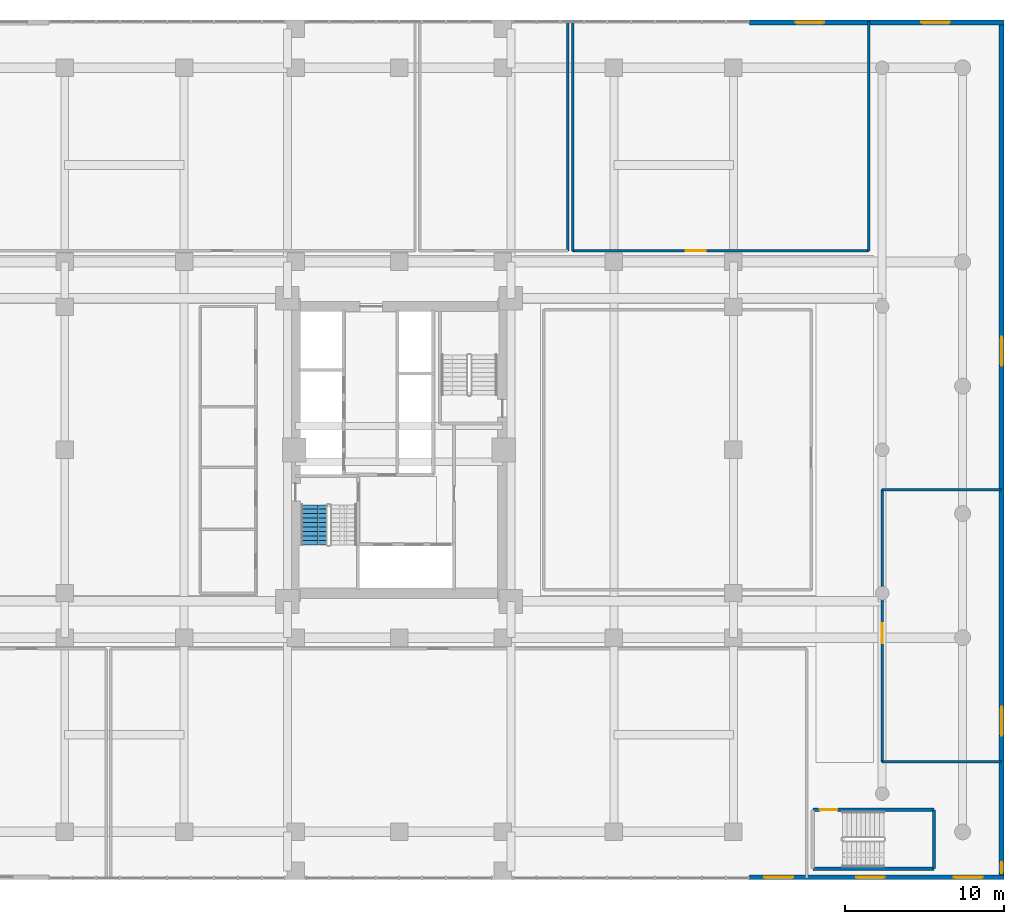
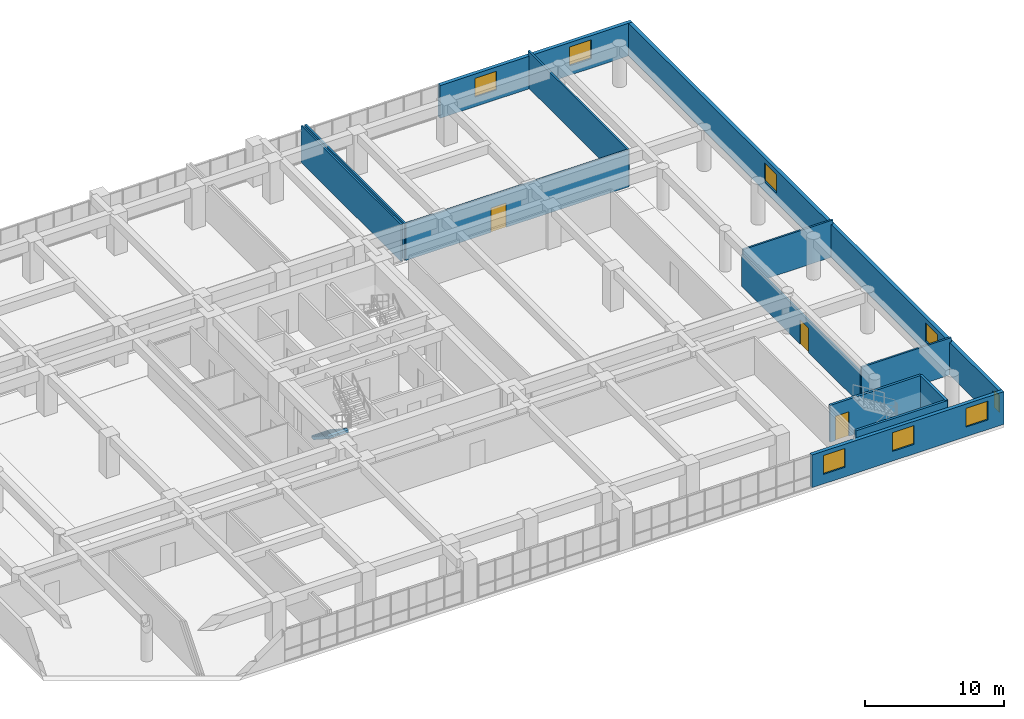
# One storey, part 21 of 30: 13 walls, 8 windows, 3 doors, 1 stair flight, 11 openings, 1 element without a shape of its own.
"""IFC4 building model written with IfcOpenShell, lengths in metres."""

from ifc_helpers import new_model, si_unit, direction, frame, frame_2d, origin, place, context, subcontext, project, spatial, polyline, rectangle, outline, extrude, source, transform, mapped, material, layer, layer_set, type_object, element, fill, aggregate, save


model = new_model("IFC4")

# Units and contexts
model_context = context("Model", 3, precision=1e-05, world=origin(), true_north=direction((0.0, 1.0)))
body_context = subcontext(model_context, "Body", "Model", "MODEL_VIEW")
ifc_project = project(units=[si_unit("LENGTHUNIT", "METRE"), si_unit("AREAUNIT", "SQUARE_METRE"), si_unit("VOLUMEUNIT", "CUBIC_METRE"), si_unit("PLANEANGLEUNIT", "RADIAN"), si_unit("MASSUNIT", "GRAM", prefix="KILO")], contexts=[model_context])

# Site, building, storey
site_placement = place(None, origin())
site = spatial("IfcSite", under=ifc_project, at=site_placement, CompositionType="ELEMENT")
building_placement = place(site_placement, origin())
building = spatial("IfcBuilding", under=site, at=building_placement, Name="Saelheon Loggia Tower", CompositionType="ELEMENT")
storey_placement = place(building_placement, frame((0.0, 0.0, 11.39990234375)))
storey = spatial("IfcBuildingStorey", under=building, at=storey_placement, Name="L03", CompositionType="ELEMENT", Elevation=11.39990234375)

# Wall, openings, windows
ifc_material_1 = material(Name="Architectural Precast Concrete C40/50", Category="concrete")
ifc_layer_1 = layer(ifc_material_1, 0.300048828125)
ifc_layer_set_1 = layer_set([ifc_layer_1], Name="Architectural Precast Concrete C40/50")
wall_type_1 = type_object("IfcWallType", Name="Wall_Ext_Podium_300", PredefinedType="SOLIDWALL", material=ifc_layer_set_1)
wall_1_placement = place(storey_placement, frame((60.0, 0.14990234375, 0.0), z_axis=(0.0, 0.0, 1.0), x_axis=(1.0, 0.0, 0.0)))
wall_1 = element("IfcWall", 1, at=wall_1_placement, inside=storey, type_object=wall_type_1, Name="L03 South-East Precast Wall", PredefinedType="SOLIDWALL", context=body_context, shape_type="SweptSolid", body=[
    extrude(rectangle(XDim=16.0, YDim=0.300048828125, at=frame_2d((8.0, 0.0))), origin(), (0.0, 0.0, 1.0), 2.880126953125),
])
opening_1_placement = place(wall_1_placement, frame((0.955078125, 0.0, 0.85009765625)))
opening_1 = element("IfcOpeningElement", 2, at=opening_1_placement, cuts=wall_1, Name="Opening WN-01", PredefinedType="OPENING", context=body_context, shape_type="SweptSolid", body=[
    extrude(rectangle(XDim=1.800048828125, YDim=1.64990234375, at=frame_2d((0.89990234375, 0.824951171875))), frame((0.0, 0.162109375, 0.0), z_axis=(0.0, -1.0, 0.0), x_axis=(1.0, 0.0, 0.0)), (0.0, 0.0, 1.0), 0.323974609375),
])
opening_2_placement = place(wall_1_placement, frame((6.705078125, 0.0, 0.85009765625)))
opening_2 = element("IfcOpeningElement", 3, at=opening_2_placement, cuts=wall_1, Name="Opening WN-01", PredefinedType="OPENING", context=body_context, shape_type="SweptSolid", body=[
    extrude(rectangle(XDim=1.800048828125, YDim=1.64990234375, at=frame_2d((0.89990234375, 0.824951171875))), frame((0.0, 0.162109375, 0.0), z_axis=(0.0, -1.0, 0.0), x_axis=(1.0, 0.0, 0.0)), (0.0, 0.0, 1.0), 0.323974609375),
])
opening_3_placement = place(wall_1_placement, frame((12.85009765625, 0.0, 0.85009765625)))
opening_3 = element("IfcOpeningElement", 4, at=opening_3_placement, cuts=wall_1, Name="Opening WN-01", PredefinedType="OPENING", context=body_context, shape_type="SweptSolid", body=[
    extrude(rectangle(XDim=1.800048828125, YDim=1.64990234375, at=frame_2d((0.89990234375, 0.824951171875))), frame((0.0, 0.162109375, 0.0), z_axis=(0.0, -1.0, 0.0), x_axis=(1.0, 0.0, 0.0)), (0.0, 0.0, 1.0), 0.323974609375),
])
ifc_material_2 = material(Name="Thermal-Break Aluminium and Triple Low-E Glass", Category="aluminium")
window_type_1 = type_object("IfcWindowType", Name="Win_Dwelling_1800x1650", PartitioningType="SINGLE_PANEL", PredefinedType="WINDOW", material=ifc_material_2)
shared_shape_1 = source(origin(), body_context, "Body", "SweptSolid", [
    extrude(rectangle(XDim=1.800048828125, YDim=1.64990234375, at=frame_2d((0.89990234375, 0.824951171875))), frame((0.0, 0.030029296875, 0.0), z_axis=(0.0, -1.0, 0.0), x_axis=(1.0, 0.0, 0.0)), (0.0, 0.0, 1.0), 0.06005859375),
])
window_1_placement = place(opening_1_placement, origin())
window_1 = element("IfcWindow", 5, at=window_1_placement, inside=storey, type_object=window_type_1, Name="L03 SE Dwelling Window 1", OverallHeight=1.64990234375, OverallWidth=1.800048828125, PartitioningType="SINGLE_PANEL", PredefinedType="WINDOW", context=body_context, shape_type="MappedRepresentation", body=[
    mapped(shared_shape_1, transform((0.0, 0.0, 0.0), scale=1.0)),
])
fill(opening_1, window_1)
window_2_placement = place(opening_2_placement, origin())
window_2 = element("IfcWindow", 6, at=window_2_placement, inside=storey, type_object=window_type_1, Name="L03 SE Dwelling Window 2", OverallHeight=1.64990234375, OverallWidth=1.800048828125, PartitioningType="SINGLE_PANEL", PredefinedType="WINDOW", context=body_context, shape_type="MappedRepresentation", body=[
    mapped(shared_shape_1, transform((0.0, 0.0, 0.0), scale=1.0)),
])
fill(opening_2, window_2)
window_3_placement = place(opening_3_placement, origin())
window_3 = element("IfcWindow", 7, at=window_3_placement, inside=storey, type_object=window_type_1, Name="L03 SE Dwelling Window 3", OverallHeight=1.64990234375, OverallWidth=1.800048828125, PartitioningType="SINGLE_PANEL", PredefinedType="WINDOW", context=body_context, shape_type="MappedRepresentation", body=[
    mapped(shared_shape_1, transform((0.0, 0.0, 0.0), scale=1.0)),
])
fill(opening_3, window_3)

wall_2_placement = place(storey_placement, frame((60.0, 53.85009765625, 0.0), z_axis=(0.0, 0.0, 1.0), x_axis=(1.0, 0.0, 0.0)))
wall_2 = element("IfcWall", 8, at=wall_2_placement, inside=storey, type_object=wall_type_1, Name="L03 North-East Precast Wall", PredefinedType="SOLIDWALL", context=body_context, shape_type="SweptSolid", body=[
    extrude(rectangle(XDim=16.0, YDim=0.300048828125, at=frame_2d((8.0, 0.0))), origin(), (0.0, 0.0, 1.0), 2.880126953125),
])
opening_4_placement = place(wall_2_placement, frame((2.905029296875, 0.0, 0.85009765625)))
opening_4 = element("IfcOpeningElement", 9, at=opening_4_placement, cuts=wall_2, Name="Opening WN-01", PredefinedType="OPENING", context=body_context, shape_type="SweptSolid", body=[
    extrude(rectangle(XDim=1.800048828125, YDim=1.64990234375, at=frame_2d((0.89990234375, 0.824951171875))), frame((0.0, 0.162109375, 0.0), z_axis=(0.0, -1.0, 0.0), x_axis=(1.0, 0.0, 0.0)), (0.0, 0.0, 1.0), 0.323974609375),
])
opening_5_placement = place(wall_2_placement, frame((10.794921875, 0.0, 0.85009765625)))
opening_5 = element("IfcOpeningElement", 10, at=opening_5_placement, cuts=wall_2, Name="Opening WN-01", PredefinedType="OPENING", context=body_context, shape_type="SweptSolid", body=[
    extrude(rectangle(XDim=1.800048828125, YDim=1.64990234375, at=frame_2d((0.89990234375, 0.824951171875))), frame((0.0, 0.162109375, 0.0), z_axis=(0.0, -1.0, 0.0), x_axis=(1.0, 0.0, 0.0)), (0.0, 0.0, 1.0), 0.323974609375),
])
window_4_placement = place(opening_4_placement, origin())
window_4 = element("IfcWindow", 11, at=window_4_placement, inside=storey, type_object=window_type_1, Name="L03 NE Dwelling Window 1", OverallHeight=1.64990234375, OverallWidth=1.800048828125, PartitioningType="SINGLE_PANEL", PredefinedType="WINDOW", context=body_context, shape_type="MappedRepresentation", body=[
    mapped(shared_shape_1, transform((0.0, 0.0, 0.0), scale=1.0)),
])
fill(opening_4, window_4)
window_5_placement = place(opening_5_placement, origin())
window_5 = element("IfcWindow", 12, at=window_5_placement, inside=storey, type_object=window_type_1, Name="L03 NE Dwelling Window 2", OverallHeight=1.64990234375, OverallWidth=1.800048828125, PartitioningType="SINGLE_PANEL", PredefinedType="WINDOW", context=body_context, shape_type="MappedRepresentation", body=[
    mapped(shared_shape_1, transform((0.0, 0.0, 0.0), scale=1.0)),
])
fill(opening_5, window_5)

wall_3_placement = place(storey_placement, frame((75.85009765625, 0.0, 0.0), z_axis=(0.0, 0.0, 1.0), x_axis=(0.0, 1.0, 0.0)))
wall_3 = element("IfcWall", 13, at=wall_3_placement, inside=storey, type_object=wall_type_1, Name="L03 East Precast Wall", PredefinedType="SOLIDWALL", context=body_context, shape_type="SweptSolid", body=[
    extrude(rectangle(XDim=54.0, YDim=0.300048828125, at=frame_2d((27.0, 0.0))), origin(), (0.0, 0.0, 1.0), 2.880126953125),
])
opening_6_placement = place(wall_3_placement, frame((0.405029296875, 0.0, 0.85009765625)))
opening_6 = element("IfcOpeningElement", 14, at=opening_6_placement, cuts=wall_3, Name="Opening WN-06", PredefinedType="OPENING", context=body_context, shape_type="SweptSolid", body=[
    extrude(rectangle(XDim=0.699951171875, YDim=1.5, at=frame_2d((0.35009765625, 0.75))), frame((0.0, 0.162109375, 0.0), z_axis=(0.0, -1.0, 0.0), x_axis=(1.0, 0.0, 0.0)), (0.0, 0.0, 1.0), 0.323974609375),
])
opening_7_placement = place(wall_3_placement, frame((9.050048828125, 0.0, 0.85009765625)))
opening_7 = element("IfcOpeningElement", 15, at=opening_7_placement, cuts=wall_3, Name="Opening WN-01", PredefinedType="OPENING", context=body_context, shape_type="SweptSolid", body=[
    extrude(rectangle(XDim=1.800048828125, YDim=1.64990234375, at=frame_2d((0.89990234375, 0.824951171875))), frame((0.0, 0.162109375, 0.0), z_axis=(0.0, -1.0, 0.0), x_axis=(1.0, 0.0, 0.0)), (0.0, 0.0, 1.0), 0.323974609375),
])
opening_8_placement = place(wall_3_placement, frame((32.294921875, 0.0, 0.85009765625)))
opening_8 = element("IfcOpeningElement", 16, at=opening_8_placement, cuts=wall_3, Name="Opening WN-01", PredefinedType="OPENING", context=body_context, shape_type="SweptSolid", body=[
    extrude(rectangle(XDim=1.800048828125, YDim=1.64990234375, at=frame_2d((0.89990234375, 0.824951171875))), frame((0.0, 0.162109375, 0.0), z_axis=(0.0, -1.0, 0.0), x_axis=(1.0, 0.0, 0.0)), (0.0, 0.0, 1.0), 0.323974609375),
])
window_6_placement = place(opening_7_placement, origin())
window_6 = element("IfcWindow", 17, at=window_6_placement, inside=storey, type_object=window_type_1, Name="L03 E Dwelling Window 2", OverallHeight=1.64990234375, OverallWidth=1.800048828125, PartitioningType="SINGLE_PANEL", PredefinedType="WINDOW", context=body_context, shape_type="MappedRepresentation", body=[
    mapped(shared_shape_1, transform((0.0, 0.0, 0.0), scale=1.0)),
])
fill(opening_7, window_6)
window_7_placement = place(opening_8_placement, origin())
window_7 = element("IfcWindow", 18, at=window_7_placement, inside=storey, type_object=window_type_1, Name="L03 E Dwelling Window 3", OverallHeight=1.64990234375, OverallWidth=1.800048828125, PartitioningType="SINGLE_PANEL", PredefinedType="WINDOW", context=body_context, shape_type="MappedRepresentation", body=[
    mapped(shared_shape_1, transform((0.0, 0.0, 0.0), scale=1.0)),
])
fill(opening_8, window_7)
window_type_2 = type_object("IfcWindowType", Name="Win_Slot_700x1500", PartitioningType="SINGLE_PANEL", PredefinedType="WINDOW", material=ifc_material_2)
shared_shape_2 = source(origin(), body_context, "Body", "SweptSolid", [
    extrude(rectangle(XDim=0.699951171875, YDim=1.5, at=frame_2d((0.35009765625, 0.75))), frame((0.0, 0.030029296875, 0.0), z_axis=(0.0, -1.0, 0.0), x_axis=(1.0, 0.0, 0.0)), (0.0, 0.0, 1.0), 0.06005859375),
])
window_8_placement = place(opening_6_placement, origin())
window_8 = element("IfcWindow", 19, at=window_8_placement, inside=storey, type_object=window_type_2, Name="L03 E Dwelling Window 1", OverallHeight=1.5, OverallWidth=0.699951171875, PartitioningType="SINGLE_PANEL", PredefinedType="WINDOW", context=body_context, shape_type="MappedRepresentation", body=[
    mapped(shared_shape_2, transform((0.0, 0.0, 0.0), scale=1.0)),
])
fill(opening_6, window_8)

# Wall
ifc_material_3 = material(Name="Lightweight Autoclaved Aerated Concrete Block and Acoustic Gypsum", Category="concrete")
ifc_layer_2 = layer(ifc_material_3, 0.14990234375)
ifc_layer_set_2 = layer_set([ifc_layer_2], Name="Lightweight Autoclaved Aerated Concrete Block and Acoustic Gypsum")
wall_type_2 = type_object("IfcWallType", Name="Wall_Part_150", PredefinedType="PARTITIONING", material=ifc_layer_set_2)
wall_4_placement = place(storey_placement, frame((48.60009765625, 39.5, 0.0), z_axis=(0.0, 0.0, 1.0), x_axis=(0.0, 1.0, 0.0)))
element("IfcWall", 20, at=wall_4_placement, inside=storey, type_object=wall_type_2, Name="PW-L03-COUNS1-E", PredefinedType="PARTITIONING", context=body_context, shape_type="SweptSolid", body=[
    extrude(rectangle(XDim=14.39990234375, YDim=0.14990234375, at=frame_2d((7.199951171875, 0.0))), origin(), (0.0, 0.0, 1.0), 3.25),
])

# Wall, opening, door
wall_5_placement = place(storey_placement, frame((48.89990234375, 39.5, 0.0), z_axis=(0.0, 0.0, 1.0), x_axis=(1.0, 0.0, 0.0)))
wall_5 = element("IfcWall", 21, at=wall_5_placement, inside=storey, type_object=wall_type_2, Name="PW-L03-COUNS2-S", PredefinedType="PARTITIONING", context=body_context, shape_type="SweptSolid", body=[
    extrude(rectangle(XDim=18.60009765625, YDim=0.14990234375, at=frame_2d((9.300048828125, 0.0))), origin(), (0.0, 0.0, 1.0), 3.25),
])
opening_9_placement = place(wall_5_placement, frame((7.114013671875, 0.0, 0.0)))
opening_9 = element("IfcOpeningElement", 22, at=opening_9_placement, cuts=wall_5, Name="Opening D-CL1", PredefinedType="OPENING", context=body_context, shape_type="SweptSolid", body=[
    extrude(rectangle(XDim=1.25, YDim=2.14990234375, at=frame_2d((0.625, 1.074951171875))), frame((0.0, 0.0869140625, 0.0), z_axis=(0.0, -1.0, 0.0), x_axis=(1.0, 0.0, 0.0)), (0.0, 0.0, 1.0), 0.173828125),
])
ifc_material_4 = material(Name="Antimicrobial Hospital Laminate Door", Category="timber")
door_type_1 = type_object("IfcDoorType", Name="Door_Clinic_1250", OperationType="NOTDEFINED", PredefinedType="DOOR", material=ifc_material_4)
shared_shape_3 = source(origin(), body_context, "Body", "SweptSolid", [
    extrude(rectangle(XDim=1.25, YDim=2.14990234375, at=frame_2d((0.625, 1.074951171875))), frame((0.0, 0.02490234375, 0.0), z_axis=(0.0, -1.0, 0.0), x_axis=(1.0, 0.0, 0.0)), (0.0, 0.0, 1.0), 0.050048828125),
])
door_1_placement = place(opening_9_placement, origin())
door_1 = element("IfcDoor", 23, at=door_1_placement, inside=storey, type_object=door_type_1, Name="L03 Maternal Education Seminar Hall Door", OperationType="SINGLE_SWING_LEFT", OverallHeight=2.14990234375, OverallWidth=1.25, PredefinedType="DOOR", context=body_context, shape_type="MappedRepresentation", body=[
    mapped(shared_shape_3, transform((0.0, 0.0, 0.0), scale=1.0)),
])
fill(opening_9, door_1)

# Walls
for number, where, z_axis, x_axis, name in (
    (24, (48.89990234375, 39.5, 0.0), (0.0, 0.0, 1.0), (0.0, 1.0, 0.0), "PW-L03-COUNS2-W"),
    (25, (67.5, 39.5, 0.0), (0.0, 0.0, 1.0), (0.0, 1.0, 0.0), "PW-L03-COUNS2-E"),
):
    element("IfcWall", number, at=place(storey_placement, frame(where, z_axis=z_axis, x_axis=x_axis)), inside=storey, type_object=wall_type_2, Name=name, PredefinedType="PARTITIONING", context=body_context, shape_type="SweptSolid", body=[
        extrude(rectangle(XDim=14.39990234375, YDim=0.14990234375, at=frame_2d((7.199951171875, 0.0))), origin(), (0.0, 0.0, 1.0), 3.25),
    ])
for number, where, z_axis, x_axis, name in (
    (26, (68.35009765625, 7.39990234375, 0.0), (0.0, 0.0, 1.0), (1.0, 0.0, 0.0), "PW-L03-ORTHO-S"),
    (27, (68.35009765625, 24.5, 0.0), (0.0, 0.0, 1.0), (1.0, 0.0, 0.0), "PW-L03-ORTHO-N"),
):
    element("IfcWall", number, at=place(storey_placement, frame(where, z_axis=z_axis, x_axis=x_axis)), inside=storey, type_object=wall_type_2, Name=name, PredefinedType="PARTITIONING", context=body_context, shape_type="SweptSolid", body=[
        extrude(rectangle(XDim=7.5, YDim=0.14990234375, at=frame_2d((3.75, 0.0))), origin(), (0.0, 0.0, 1.0), 3.25),
    ])

# Wall, opening, door
wall_6_placement = place(storey_placement, frame((68.35009765625, 7.39990234375, 0.0), z_axis=(0.0, 0.0, 1.0), x_axis=(0.0, 1.0, 0.0)))
wall_6 = element("IfcWall", 28, at=wall_6_placement, inside=storey, type_object=wall_type_2, Name="PW-L03-ORTHO-W", PredefinedType="PARTITIONING", context=body_context, shape_type="SweptSolid", body=[
    extrude(rectangle(XDim=17.10009765625, YDim=0.14990234375, at=frame_2d((8.550048828125, 0.0))), origin(), (0.0, 0.0, 1.0), 2.840087890625),
])
opening_10_placement = place(wall_6_placement, frame((7.45166015625, 0.0, 0.0)))
opening_10 = element("IfcOpeningElement", 29, at=opening_10_placement, cuts=wall_6, Name="Opening D-CL1", PredefinedType="OPENING", context=body_context, shape_type="SweptSolid", body=[
    extrude(rectangle(XDim=1.25, YDim=2.14990234375, at=frame_2d((0.625, 1.074951171875))), frame((0.0, 0.0869140625, 0.0), z_axis=(0.0, -1.0, 0.0), x_axis=(1.0, 0.0, 0.0)), (0.0, 0.0, 1.0), 0.173828125),
])
door_2_placement = place(opening_10_placement, origin())
door_2 = element("IfcDoor", 30, at=door_2_placement, inside=storey, type_object=door_type_1, Name="L03 Orthopaedic Splinting Clinic Door", OperationType="SINGLE_SWING_RIGHT", OverallHeight=2.14990234375, OverallWidth=1.25, PredefinedType="DOOR", context=body_context, shape_type="MappedRepresentation", body=[
    mapped(shared_shape_3, transform((0.0, 0.0, 0.0), scale=1.0)),
])
fill(opening_10, door_2)

# Wall
ifc_material_5 = material(Name="Concrete C45/55", Category="concrete")
ifc_layer_3 = layer(ifc_material_5, 0.199951171875)
ifc_layer_set_3 = layer_set([ifc_layer_3], Name="Concrete C45/55")
wall_type_3 = type_object("IfcWallType", Name="Wall_StairShaft_RC200", PredefinedType="SOLIDWALL", material=ifc_layer_set_3)
wall_7_placement = place(storey_placement, frame((63.989990234375, 0.68994140625, 0.0), z_axis=(0.0, 0.0, 1.0), x_axis=(1.0, 0.0, 0.0)))
element("IfcWall", 31, at=wall_7_placement, inside=storey, type_object=wall_type_3, Name="L03 ST4 Shaft South Wall", PredefinedType="SOLIDWALL", context=body_context, shape_type="SweptSolid", body=[
    extrude(rectangle(XDim=7.6201171875, YDim=0.199951171875, at=frame_2d((3.81005859375, 0.0))), origin(), (0.0, 0.0, 1.0), 3.25),
])

# Wall, opening, door
wall_8_placement = place(storey_placement, frame((63.989990234375, 4.389892578125, 0.0), z_axis=(0.0, 0.0, 1.0), x_axis=(1.0, 0.0, 0.0)))
wall_8 = element("IfcWall", 32, at=wall_8_placement, inside=storey, type_object=wall_type_3, Name="L03 ST4 Shaft North Wall", PredefinedType="SOLIDWALL", context=body_context, shape_type="SweptSolid", body=[
    extrude(rectangle(XDim=7.6201171875, YDim=0.199951171875, at=frame_2d((3.81005859375, 0.0))), origin(), (0.0, 0.0, 1.0), 3.25),
])
opening_11_placement = place(wall_8_placement, frame((0.449951171875, 0.0, 0.0)))
opening_11 = element("IfcOpeningElement", 33, at=opening_11_placement, cuts=wall_8, Name="Opening D-FD2", PredefinedType="OPENING", context=body_context, shape_type="SweptSolid", body=[
    extrude(rectangle(XDim=1.10009765625, YDim=2.14990234375, at=frame_2d((0.550048828125, 1.074951171875))), frame((0.0, 0.112060546875, 0.0), z_axis=(0.0, -1.0, 0.0), x_axis=(1.0, 0.0, 0.0)), (0.0, 0.0, 1.0), 0.223876953125),
])
ifc_material_6 = material(Name="Galvanised Steel Fire Door", Category="steel")
door_type_2 = type_object("IfcDoorType", Name="Door_Fire_FD60_1100", OperationType="NOTDEFINED", PredefinedType="DOOR", material=ifc_material_6)
shared_shape_4 = source(origin(), body_context, "Body", "SweptSolid", [
    extrude(rectangle(XDim=1.10009765625, YDim=2.14990234375, at=frame_2d((0.550048828125, 1.074951171875))), frame((0.0, 0.02490234375, 0.0), z_axis=(0.0, -1.0, 0.0), x_axis=(1.0, 0.0, 0.0)), (0.0, 0.0, 1.0), 0.050048828125),
])
door_3_placement = place(opening_11_placement, origin())
door_3 = element("IfcDoor", 34, at=door_3_placement, inside=storey, type_object=door_type_2, Name="L03 Escape Stair ST4 Door", OperationType="SINGLE_SWING_LEFT", OverallHeight=2.14990234375, OverallWidth=1.10009765625, PredefinedType="DOOR", context=body_context, shape_type="MappedRepresentation", body=[
    mapped(shared_shape_4, transform((0.0, 0.0, 0.0), scale=1.0)),
])
fill(opening_11, door_3)

# Wall
wall_9_placement = place(storey_placement, frame((71.610107421875, 0.68994140625, 0.0), z_axis=(0.0, 0.0, 1.0), x_axis=(0.0, 1.0, 0.0)))
element("IfcWall", 35, at=wall_9_placement, inside=storey, type_object=wall_type_3, Name="L03 ST4 Shaft East Wall", PredefinedType="SOLIDWALL", context=body_context, shape_type="SweptSolid", body=[
    extrude(rectangle(XDim=3.699951171875, YDim=0.199951171875, at=frame_2d((1.85009765625, 0.0))), origin(), (0.0, 0.0, 1.0), 3.25),
])

# Stair, stair flight
ifc_material_7 = material(Name="Concrete C40/50", Category="concrete")
stair_type = type_object("IfcStairType", Name="Stair_Escape_Core", PredefinedType="HALF_TURN_STAIR", material=ifc_material_7)
stair_placement = place(storey_placement, origin())
stair = element("IfcStair", 36, at=stair_placement, inside=storey, type_object=stair_type, Name="L03 Special Escape Stair ST1", PredefinedType="HALF_TURN_STAIR")
stair_flight_type = type_object("IfcStairFlightType", Name="StairFlight_Tower_1660", PredefinedType="STRAIGHT", material=ifc_material_7)
stair_flight_placement = place(storey_placement, frame((32.679931640625, 23.550048828125, 0.0), z_axis=(0.0, 0.0, 1.0), x_axis=(0.0, -1.0, 0.0)))
stair_flight = element("IfcStairFlight", 37, at=stair_flight_placement, type_object=stair_flight_type, Name="ST1 flight 1", NumberOfRisers=10, NumberOfTreads=9, PredefinedType="STRAIGHT", RiserHeight=0.18, TreadLength=0.28, context=body_context, shape_type="SweptSolid", body=[
    extrude(outline(polyline([(0.0, 0.0), (0.0, 0.179931640625), (0.280029296875, 0.179931640625), (0.280029296875, 0.360107421875), (0.56005859375, 0.360107421875), (0.56005859375, 0.5400390625), (0.840087890625, 0.5400390625), (0.840087890625, 0.719970703125), (1.1201171875, 0.719970703125), (1.1201171875, 0.89990234375), (1.39990234375, 0.89990234375), (1.39990234375, 1.080078125), (1.679931640625, 1.080078125), (1.679931640625, 1.260009765625), (1.9599609375, 1.260009765625), (1.9599609375, 1.43994140625), (2.239990234375, 1.43994140625), (2.239990234375, 1.6201171875), (2.52001953125, 1.6201171875), (2.52001953125, 1.800048828125), (2.52001953125, 1.406005859375), (0.332763671875, 0.0), (0.0, 0.0)])), frame((0.0, -0.2490234375, 0.0), z_axis=(0.0, -1.0, 0.0), x_axis=(1.0, 0.0, 0.0)), (0.0, 0.0, 1.0), 0.5810546875),
    extrude(outline(polyline([(0.0, 0.0), (0.0, 0.179931640625), (0.280029296875, 0.179931640625), (0.280029296875, 0.360107421875), (0.56005859375, 0.360107421875), (0.56005859375, 0.5400390625), (0.840087890625, 0.5400390625), (0.840087890625, 0.719970703125), (1.1201171875, 0.719970703125), (1.1201171875, 0.89990234375), (1.39990234375, 0.89990234375), (1.39990234375, 1.080078125), (1.679931640625, 1.080078125), (1.679931640625, 1.260009765625), (1.9599609375, 1.260009765625), (1.9599609375, 1.43994140625), (2.239990234375, 1.43994140625), (2.239990234375, 1.6201171875), (2.52001953125, 1.6201171875), (2.52001953125, 1.800048828125), (2.52001953125, 1.406005859375), (0.332763671875, 0.0), (0.0, 0.0)])), frame((0.0, -0.194091796875, 0.0), z_axis=(0.0, -1.0, 0.0), x_axis=(1.0, 0.0, 0.0)), (0.0, 0.0, 1.0), 0.0498046875),
    extrude(outline(polyline([(0.0, 0.0), (0.0, 0.179931640625), (0.280029296875, 0.179931640625), (0.280029296875, 0.360107421875), (0.56005859375, 0.360107421875), (0.56005859375, 0.5400390625), (0.840087890625, 0.5400390625), (0.840087890625, 0.719970703125), (1.1201171875, 0.719970703125), (1.1201171875, 0.89990234375), (1.39990234375, 0.89990234375), (1.39990234375, 1.080078125), (1.679931640625, 1.080078125), (1.679931640625, 1.260009765625), (1.9599609375, 1.260009765625), (1.9599609375, 1.43994140625), (2.239990234375, 1.43994140625), (2.239990234375, 1.6201171875), (2.52001953125, 1.6201171875), (2.52001953125, 1.800048828125), (2.52001953125, 1.406005859375), (0.332763671875, 0.0), (0.0, 0.0)])), frame((0.0, -0.139404296875, 0.0), z_axis=(0.0, -1.0, 0.0), x_axis=(1.0, 0.0, 0.0)), (0.0, 0.0, 1.0), 0.0498046875),
    extrude(outline(polyline([(0.0, 0.0), (0.0, 0.179931640625), (0.280029296875, 0.179931640625), (0.280029296875, 0.360107421875), (0.56005859375, 0.360107421875), (0.56005859375, 0.5400390625), (0.840087890625, 0.5400390625), (0.840087890625, 0.719970703125), (1.1201171875, 0.719970703125), (1.1201171875, 0.89990234375), (1.39990234375, 0.89990234375), (1.39990234375, 1.080078125), (1.679931640625, 1.080078125), (1.679931640625, 1.260009765625), (1.9599609375, 1.260009765625), (1.9599609375, 1.43994140625), (2.239990234375, 1.43994140625), (2.239990234375, 1.6201171875), (2.52001953125, 1.6201171875), (2.52001953125, 1.800048828125), (2.52001953125, 1.406005859375), (0.332763671875, 0.0), (0.0, 0.0)])), frame((0.0, -0.084716796875, 0.0), z_axis=(0.0, -1.0, 0.0), x_axis=(1.0, 0.0, 0.0)), (0.0, 0.0, 1.0), 0.0498046875),
    extrude(outline(polyline([(0.0, 0.0), (0.0, 0.179931640625), (0.280029296875, 0.179931640625), (0.280029296875, 0.360107421875), (0.56005859375, 0.360107421875), (0.56005859375, 0.5400390625), (0.840087890625, 0.5400390625), (0.840087890625, 0.719970703125), (1.1201171875, 0.719970703125), (1.1201171875, 0.89990234375), (1.39990234375, 0.89990234375), (1.39990234375, 1.080078125), (1.679931640625, 1.080078125), (1.679931640625, 1.260009765625), (1.9599609375, 1.260009765625), (1.9599609375, 1.43994140625), (2.239990234375, 1.43994140625), (2.239990234375, 1.6201171875), (2.52001953125, 1.6201171875), (2.52001953125, 1.800048828125), (2.52001953125, 1.406005859375), (0.332763671875, 0.0), (0.0, 0.0)])), frame((0.0, -0.02978515625, 0.0), z_axis=(0.0, -1.0, 0.0), x_axis=(1.0, 0.0, 0.0)), (0.0, 0.0, 1.0), 0.0498046875),
    extrude(outline(polyline([(0.0, 0.0), (0.0, 0.179931640625), (0.280029296875, 0.179931640625), (0.280029296875, 0.360107421875), (0.56005859375, 0.360107421875), (0.56005859375, 0.5400390625), (0.840087890625, 0.5400390625), (0.840087890625, 0.719970703125), (1.1201171875, 0.719970703125), (1.1201171875, 0.89990234375), (1.39990234375, 0.89990234375), (1.39990234375, 1.080078125), (1.679931640625, 1.080078125), (1.679931640625, 1.260009765625), (1.9599609375, 1.260009765625), (1.9599609375, 1.43994140625), (2.239990234375, 1.43994140625), (2.239990234375, 1.6201171875), (2.52001953125, 1.6201171875), (2.52001953125, 1.800048828125), (2.52001953125, 1.406005859375), (0.332763671875, 0.0), (0.0, 0.0)])), frame((0.0, 0.02490234375, 0.0), z_axis=(0.0, -1.0, 0.0), x_axis=(1.0, 0.0, 0.0)), (0.0, 0.0, 1.0), 0.0498046875),
    extrude(outline(polyline([(0.0, 0.0), (0.0, 0.179931640625), (0.280029296875, 0.179931640625), (0.280029296875, 0.360107421875), (0.56005859375, 0.360107421875), (0.56005859375, 0.5400390625), (0.840087890625, 0.5400390625), (0.840087890625, 0.719970703125), (1.1201171875, 0.719970703125), (1.1201171875, 0.89990234375), (1.39990234375, 0.89990234375), (1.39990234375, 1.080078125), (1.679931640625, 1.080078125), (1.679931640625, 1.260009765625), (1.9599609375, 1.260009765625), (1.9599609375, 1.43994140625), (2.239990234375, 1.43994140625), (2.239990234375, 1.6201171875), (2.52001953125, 1.6201171875), (2.52001953125, 1.800048828125), (2.52001953125, 1.406005859375), (0.332763671875, 0.0), (0.0, 0.0)])), frame((0.0, 0.07958984375, 0.0), z_axis=(0.0, -1.0, 0.0), x_axis=(1.0, 0.0, 0.0)), (0.0, 0.0, 1.0), 0.0498046875),
    extrude(outline(polyline([(0.0, 0.0), (0.0, 0.179931640625), (0.280029296875, 0.179931640625), (0.280029296875, 0.360107421875), (0.56005859375, 0.360107421875), (0.56005859375, 0.5400390625), (0.840087890625, 0.5400390625), (0.840087890625, 0.719970703125), (1.1201171875, 0.719970703125), (1.1201171875, 0.89990234375), (1.39990234375, 0.89990234375), (1.39990234375, 1.080078125), (1.679931640625, 1.080078125), (1.679931640625, 1.260009765625), (1.9599609375, 1.260009765625), (1.9599609375, 1.43994140625), (2.239990234375, 1.43994140625), (2.239990234375, 1.6201171875), (2.52001953125, 1.6201171875), (2.52001953125, 1.800048828125), (2.52001953125, 1.406005859375), (0.332763671875, 0.0), (0.0, 0.0)])), frame((0.0, 0.134521484375, 0.0), z_axis=(0.0, -1.0, 0.0), x_axis=(1.0, 0.0, 0.0)), (0.0, 0.0, 1.0), 0.0498046875),
    extrude(outline(polyline([(0.0, 0.0), (0.0, 0.179931640625), (0.280029296875, 0.179931640625), (0.280029296875, 0.360107421875), (0.56005859375, 0.360107421875), (0.56005859375, 0.5400390625), (0.840087890625, 0.5400390625), (0.840087890625, 0.719970703125), (1.1201171875, 0.719970703125), (1.1201171875, 0.89990234375), (1.39990234375, 0.89990234375), (1.39990234375, 1.080078125), (1.679931640625, 1.080078125), (1.679931640625, 1.260009765625), (1.9599609375, 1.260009765625), (1.9599609375, 1.43994140625), (2.239990234375, 1.43994140625), (2.239990234375, 1.6201171875), (2.52001953125, 1.6201171875), (2.52001953125, 1.800048828125), (2.52001953125, 1.406005859375), (0.332763671875, 0.0), (0.0, 0.0)])), frame((0.0, 0.189208984375, 0.0), z_axis=(0.0, -1.0, 0.0), x_axis=(1.0, 0.0, 0.0)), (0.0, 0.0, 1.0), 0.0498046875),
    extrude(outline(polyline([(0.0, 0.0), (0.0, 0.179931640625), (0.280029296875, 0.179931640625), (0.280029296875, 0.360107421875), (0.56005859375, 0.360107421875), (0.56005859375, 0.5400390625), (0.840087890625, 0.5400390625), (0.840087890625, 0.719970703125), (1.1201171875, 0.719970703125), (1.1201171875, 0.89990234375), (1.39990234375, 0.89990234375), (1.39990234375, 1.080078125), (1.679931640625, 1.080078125), (1.679931640625, 1.260009765625), (1.9599609375, 1.260009765625), (1.9599609375, 1.43994140625), (2.239990234375, 1.43994140625), (2.239990234375, 1.6201171875), (2.52001953125, 1.6201171875), (2.52001953125, 1.800048828125), (2.52001953125, 1.406005859375), (0.332763671875, 0.0), (0.0, 0.0)])), frame((0.0, 0.243896484375, 0.0), z_axis=(0.0, -1.0, 0.0), x_axis=(1.0, 0.0, 0.0)), (0.0, 0.0, 1.0), 0.0498046875),
    extrude(outline(polyline([(0.0, 0.0), (0.0, 0.179931640625), (0.280029296875, 0.179931640625), (0.280029296875, 0.360107421875), (0.56005859375, 0.360107421875), (0.56005859375, 0.5400390625), (0.840087890625, 0.5400390625), (0.840087890625, 0.719970703125), (1.1201171875, 0.719970703125), (1.1201171875, 0.89990234375), (1.39990234375, 0.89990234375), (1.39990234375, 1.080078125), (1.679931640625, 1.080078125), (1.679931640625, 1.260009765625), (1.9599609375, 1.260009765625), (1.9599609375, 1.43994140625), (2.239990234375, 1.43994140625), (2.239990234375, 1.6201171875), (2.52001953125, 1.6201171875), (2.52001953125, 1.800048828125), (2.52001953125, 1.406005859375), (0.332763671875, 0.0), (0.0, 0.0)])), frame((0.0, 0.830078125, 0.0), z_axis=(0.0, -1.0, 0.0), x_axis=(1.0, 0.0, 0.0)), (0.0, 0.0, 1.0), 0.5810546875),
])
aggregate(stair, [stair_flight])

save(model, "model.ifc")
